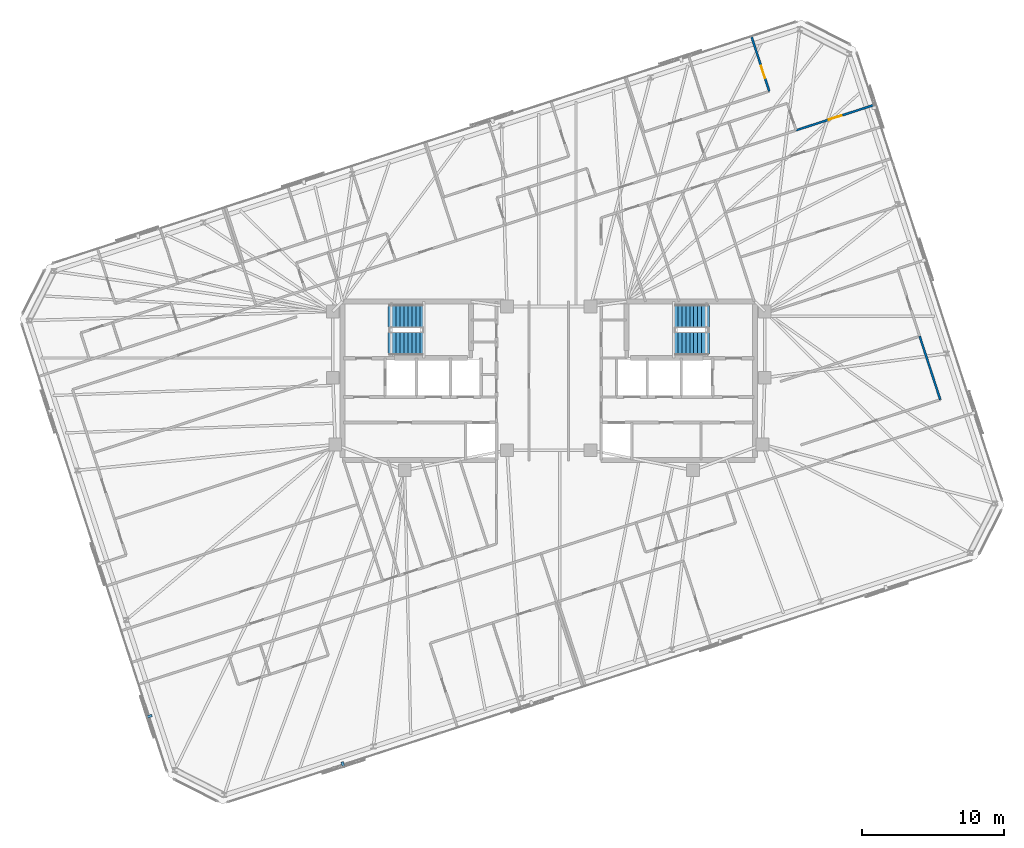
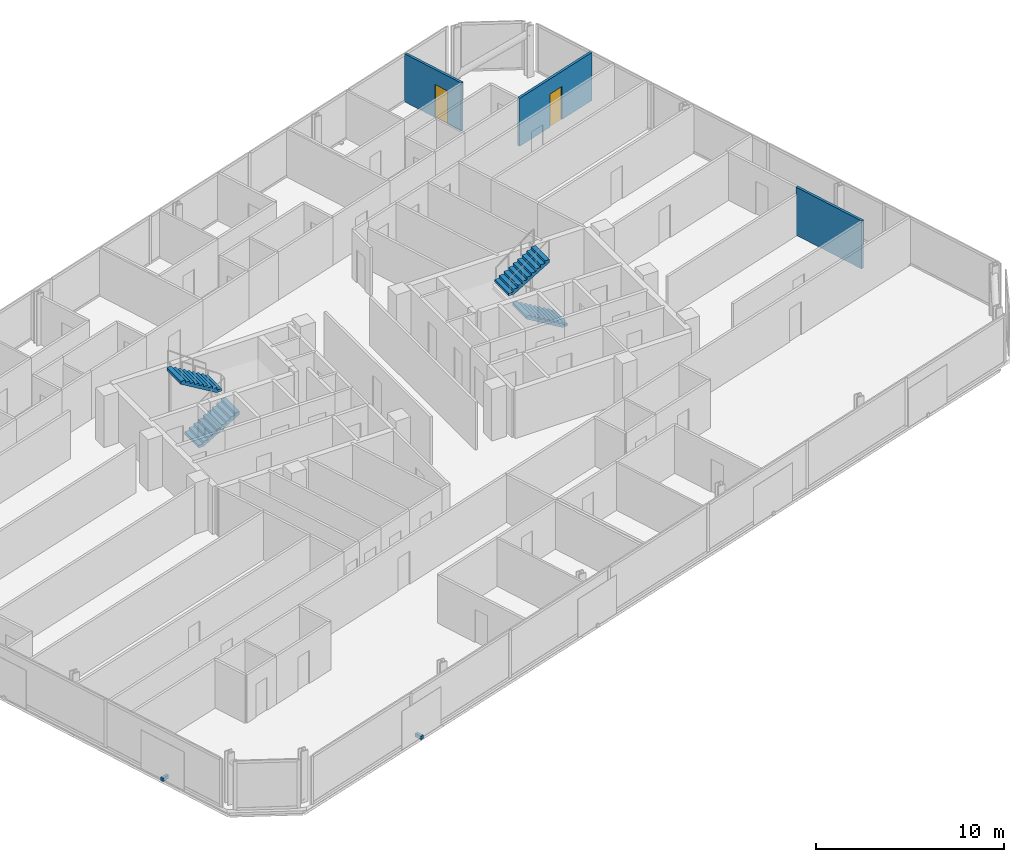
# One storey, part 18 of 20: 4 stair flights, 3 walls, 2 discrete accessories, 2 doors, 2 openings, 2 elements without a shape of their own.
"""IFC4 building model written with IfcOpenShell, lengths in metres."""

from ifc_helpers import new_model, si_unit, direction, frame, frame_2d, origin, origin_2d, place, context, subcontext, project, spatial, polyline, rectangle, outline, extrude, material, layer, layer_set, type_object, element, fill, aggregate, save


model = new_model("IFC4")

# Units and contexts
model_context = context("Model", 3, precision=1e-05, world=origin(), true_north=direction((0.0, 1.0)))
body_context = subcontext(model_context, "Body", "Model", "MODEL_VIEW")
ifc_project = project(units=[si_unit("LENGTHUNIT", "METRE"), si_unit("AREAUNIT", "SQUARE_METRE"), si_unit("VOLUMEUNIT", "CUBIC_METRE"), si_unit("PLANEANGLEUNIT", "RADIAN"), si_unit("MASSUNIT", "GRAM", prefix="KILO")], contexts=[model_context])

# Site, building, storey
site_placement = place(None, origin())
site = spatial("IfcSite", under=ifc_project, at=site_placement, CompositionType="ELEMENT")
building_placement = place(site_placement, origin())
building = spatial("IfcBuilding", under=site, at=building_placement, Name="Menara Jurai Vektor", CompositionType="ELEMENT")
storey_placement = place(building_placement, frame((0.0, 0.0, 224.300048828125)))
storey = spatial("IfcBuildingStorey", under=building, at=storey_placement, Name="L59", CompositionType="ELEMENT", Elevation=224.300048828125)

# Wall, opening, door
ifc_material_1 = material(Name="Gypsum Fireboard Partition", Category="gypsum")
ifc_layer = layer(ifc_material_1, 0.14990234375)
ifc_layer_set = layer_set([ifc_layer], Name="Gypsum Fireboard Partition")
wall_type = type_object("IfcWallType", Name="INT-WALL-CORR-150", PredefinedType="PARTITIONING", material=ifc_layer_set)
wall_1_placement = place(storey_placement, frame((17.4580078125, 17.687744140625, 0.0), z_axis=(0.0, 0.0, 1.0), x_axis=(0.951064183239, 0.308993396953, 0.0)))
wall_1 = element("IfcWall", 1, at=wall_1_placement, inside=storey, type_object=wall_type, Name="Interior Wall IW-150 L59", PredefinedType="PARTITIONING", context=body_context, shape_type="SweptSolid", body=[
    extrude(rectangle(XDim=5.778076171875, YDim=0.14990234375, at=frame_2d((2.88916015625, 0.0))), origin(), (0.0, 0.0, 1.0), 3.125),
])
opening_1_placement = place(wall_1_placement, frame((2.4140625, 0.0, 0.0)))
opening_1 = element("IfcOpeningElement", 2, at=opening_1_placement, cuts=wall_1, Name="Opening D59-25", PredefinedType="OPENING", context=body_context, shape_type="SweptSolid", body=[
    extrude(rectangle(XDim=0.949951171875, YDim=2.14990234375, at=frame_2d((0.47509765625, 1.074951171875))), frame((0.0, 0.0849609375, 0.0), z_axis=(0.0, -1.0, 0.0), x_axis=(1.0, 0.0, 0.0)), (0.0, 0.0, 1.0), 0.169921875),
])
ifc_material_2 = material(Name="Solid Core Timber Fire Door", Category="wood")
door_type_1 = type_object("IfcDoorType", Name="DR-ENTRY-950", OperationType="NOTDEFINED", PredefinedType="DOOR", material=ifc_material_2)
door_1_placement = place(opening_1_placement, origin())
door_1 = element("IfcDoor", 3, at=door_1_placement, inside=storey, type_object=door_type_1, Name="Interior Door D59-25", OperationType="SINGLE_SWING_LEFT", OverallHeight=2.14990234375, OverallWidth=0.949951171875, PredefinedType="DOOR", context=body_context, shape_type="SweptSolid", body=[
    extrude(rectangle(XDim=0.949951171875, YDim=2.14990234375, at=frame_2d((0.47509765625, 1.074951171875))), frame((0.0, 0.02490234375, 0.0), z_axis=(0.0, -1.0, 0.0), x_axis=(1.0, 0.0, 0.0)), (0.0, 0.0, 1.0), 0.050048828125),
])
fill(opening_1, door_1)

# Wall
wall_2_placement = place(storey_placement, frame((27.63671875, -1.331787109375, 0.0), z_axis=(0.0, 0.0, 1.0), x_axis=(-0.309029776355, 0.951052363083, 0.0)))
element("IfcWall", 4, at=wall_2_placement, inside=storey, type_object=wall_type, Name="Interior Wall IW-150 L59", PredefinedType="PARTITIONING", context=body_context, shape_type="SweptSolid", body=[
    extrude(rectangle(XDim=4.70703125, YDim=0.14990234375, at=frame_2d((2.353515625, 0.0))), origin(), (0.0, 0.0, 1.0), 3.125),
])

# Wall, opening, door
wall_3_placement = place(storey_placement, frame((15.564208984375, 20.442138671875, 0.0), z_axis=(0.0, 0.0, 1.0), x_axis=(-0.309018403393, 0.951056058476, 0.0)))
wall_3 = element("IfcWall", 5, at=wall_3_placement, inside=storey, type_object=wall_type, Name="Interior Wall IW-150 L59", PredefinedType="PARTITIONING", context=body_context, shape_type="SweptSolid", body=[
    extrude(rectangle(XDim=4.0791015625, YDim=0.14990234375, at=frame_2d((2.03955078125, 0.0))), origin(), (0.0, 0.0, 1.0), 3.125),
])
opening_2_placement = place(wall_3_placement, frame((0.977783203125, 0.0, 0.0)))
opening_2 = element("IfcOpeningElement", 6, at=opening_2_placement, cuts=wall_3, Name="Opening D59-29", PredefinedType="OPENING", context=body_context, shape_type="SweptSolid", body=[
    extrude(rectangle(XDim=0.89990234375, YDim=2.14990234375, at=frame_2d((0.449951171875, 1.074951171875))), frame((0.0, 0.0849609375, 0.0), z_axis=(0.0, -1.0, 0.0), x_axis=(1.0, 0.0, 0.0)), (0.0, 0.0, 1.0), 0.169921875),
])
ifc_material_3 = material(Name="Acoustic Timber Interior Door", Category="wood")
door_type_2 = type_object("IfcDoorType", Name="DR-ROOM-900", OperationType="NOTDEFINED", PredefinedType="DOOR", material=ifc_material_3)
door_2_placement = place(opening_2_placement, origin())
door_2 = element("IfcDoor", 7, at=door_2_placement, inside=storey, type_object=door_type_2, Name="Interior Door D59-29", OperationType="SINGLE_SWING_LEFT", OverallHeight=2.14990234375, OverallWidth=0.89990234375, PredefinedType="DOOR", context=body_context, shape_type="SweptSolid", body=[
    extrude(rectangle(XDim=0.89990234375, YDim=2.14990234375, at=frame_2d((0.449951171875, 1.074951171875))), frame((0.0, 0.02490234375, 0.0), z_axis=(0.0, -1.0, 0.0), x_axis=(1.0, 0.0, 0.0)), (0.0, 0.0, 1.0), 0.050048828125),
])
fill(opening_2, door_2)

# Stair, stair flights
ifc_material_4 = material(Name="Concrete C40/50", Category="concrete")
stair_type = type_object("IfcStairType", Name="STAIR-DOGLEG-1500", PredefinedType="HALF_TURN_STAIR", material=ifc_material_4)
stair_1_placement = place(storey_placement, origin())
stair_1 = element("IfcStair", 8, at=stair_1_placement, inside=storey, type_object=stair_type, Name="Protected Exit Stair ST1 L59", PredefinedType="HALF_TURN_STAIR")
stair_flight_type = type_object("IfcStairFlightType", Name="STAIR-FLIGHT-1500", PredefinedType="STRAIGHT", material=ifc_material_4)
stair_flight_1_placement = place(storey_placement, frame((-11.35009765625, 2.64990234375, 0.0), z_axis=(0.0, 0.0, 1.0), x_axis=(1.0, 0.0, 0.0)))
stair_flight_1 = element("IfcStairFlight", 9, at=stair_flight_1_placement, type_object=stair_flight_type, Name="ST1 flight 1", NumberOfRisers=10, NumberOfTreads=9, PredefinedType="STRAIGHT", RiserHeight=0.1675, TreadLength=0.28, context=body_context, shape_type="SweptSolid", body=[
    extrude(outline(polyline([(0.0, 0.0), (0.0, 0.16748046875), (0.280029296875, 0.16748046875), (0.280029296875, 0.3349609375), (0.56005859375, 0.3349609375), (0.56005859375, 0.50244140625), (0.840087890625, 0.50244140625), (0.840087890625, 0.669921875), (1.1201171875, 0.669921875), (1.1201171875, 0.83740234375), (1.39990234375, 0.83740234375), (1.39990234375, 1.0048828125), (1.679931640625, 1.0048828125), (1.679931640625, 1.172607421875), (1.9599609375, 1.172607421875), (1.9599609375, 1.340087890625), (2.239990234375, 1.340087890625), (2.239990234375, 1.507568359375), (2.52001953125, 1.507568359375), (2.52001953125, 1.675048828125), (2.52001953125, 1.321044921875), (0.3115234375, 0.0), (0.0, 0.0)])), frame((0.0, 0.75, 0.0), z_axis=(0.0, -1.0, 0.0), x_axis=(1.0, 0.0, 0.0)), (0.0, 0.0, 1.0), 1.5),
])
stair_flight_2_placement = place(storey_placement, frame((-8.830078125, 4.550048828125, 1.675048828125), z_axis=(0.0, 0.0, 1.0), x_axis=(-1.0, 0.0, 0.0)))
stair_flight_2 = element("IfcStairFlight", 10, at=stair_flight_2_placement, type_object=stair_flight_type, Name="ST1 flight 2", NumberOfRisers=10, NumberOfTreads=9, PredefinedType="STRAIGHT", RiserHeight=0.1675, TreadLength=0.28, context=body_context, shape_type="SweptSolid", body=[
    extrude(outline(polyline([(0.0, 0.0), (0.0, 0.16748046875), (0.280029296875, 0.16748046875), (0.280029296875, 0.3349609375), (0.56005859375, 0.3349609375), (0.56005859375, 0.50244140625), (0.840087890625, 0.50244140625), (0.840087890625, 0.669921875), (1.1201171875, 0.669921875), (1.1201171875, 0.83740234375), (1.39990234375, 0.83740234375), (1.39990234375, 1.0048828125), (1.679931640625, 1.0048828125), (1.679931640625, 1.172607421875), (1.9599609375, 1.172607421875), (1.9599609375, 1.340087890625), (2.239990234375, 1.340087890625), (2.239990234375, 1.507568359375), (2.52001953125, 1.507568359375), (2.52001953125, 1.675048828125), (2.52001953125, 1.321044921875), (0.3115234375, 0.0), (0.0, 0.0)])), frame((0.0, 0.75, 0.0), z_axis=(0.0, -1.0, 0.0), x_axis=(1.0, 0.0, 0.0)), (0.0, 0.0, 1.0), 1.5),
])
aggregate(stair_1, [stair_flight_1, stair_flight_2])

stair_2_placement = place(storey_placement, origin())
stair_2 = element("IfcStair", 11, at=stair_2_placement, inside=storey, type_object=stair_type, Name="Protected Exit Stair ST2 L59", PredefinedType="HALF_TURN_STAIR")
stair_flight_3_placement = place(storey_placement, frame((11.35009765625, 2.64990234375, 0.0), z_axis=(0.0, 0.0, 1.0), x_axis=(-1.0, 0.0, 0.0)))
stair_flight_3 = element("IfcStairFlight", 12, at=stair_flight_3_placement, type_object=stair_flight_type, Name="ST2 flight 1", NumberOfRisers=10, NumberOfTreads=9, PredefinedType="STRAIGHT", RiserHeight=0.1675, TreadLength=0.28, context=body_context, shape_type="SweptSolid", body=[
    extrude(outline(polyline([(0.0, 0.0), (0.0, 0.16748046875), (0.280029296875, 0.16748046875), (0.280029296875, 0.3349609375), (0.56005859375, 0.3349609375), (0.56005859375, 0.50244140625), (0.840087890625, 0.50244140625), (0.840087890625, 0.669921875), (1.1201171875, 0.669921875), (1.1201171875, 0.83740234375), (1.39990234375, 0.83740234375), (1.39990234375, 1.0048828125), (1.679931640625, 1.0048828125), (1.679931640625, 1.172607421875), (1.9599609375, 1.172607421875), (1.9599609375, 1.340087890625), (2.239990234375, 1.340087890625), (2.239990234375, 1.507568359375), (2.52001953125, 1.507568359375), (2.52001953125, 1.675048828125), (2.52001953125, 1.321044921875), (0.3115234375, 0.0), (0.0, 0.0)])), frame((0.0, 0.75, 0.0), z_axis=(0.0, -1.0, 0.0), x_axis=(1.0, 0.0, 0.0)), (0.0, 0.0, 1.0), 1.5),
])
stair_flight_4_placement = place(storey_placement, frame((8.830078125, 4.550048828125, 1.675048828125), z_axis=(0.0, 0.0, 1.0), x_axis=(1.0, 0.0, 0.0)))
stair_flight_4 = element("IfcStairFlight", 13, at=stair_flight_4_placement, type_object=stair_flight_type, Name="ST2 flight 2", NumberOfRisers=10, NumberOfTreads=9, PredefinedType="STRAIGHT", RiserHeight=0.1675, TreadLength=0.28, context=body_context, shape_type="SweptSolid", body=[
    extrude(outline(polyline([(0.0, 0.0), (0.0, 0.16748046875), (0.280029296875, 0.16748046875), (0.280029296875, 0.3349609375), (0.56005859375, 0.3349609375), (0.56005859375, 0.50244140625), (0.840087890625, 0.50244140625), (0.840087890625, 0.669921875), (1.1201171875, 0.669921875), (1.1201171875, 0.83740234375), (1.39990234375, 0.83740234375), (1.39990234375, 1.0048828125), (1.679931640625, 1.0048828125), (1.679931640625, 1.172607421875), (1.9599609375, 1.172607421875), (1.9599609375, 1.340087890625), (2.239990234375, 1.340087890625), (2.239990234375, 1.507568359375), (2.52001953125, 1.507568359375), (2.52001953125, 1.675048828125), (2.52001953125, 1.321044921875), (0.3115234375, 0.0), (0.0, 0.0)])), frame((0.0, 0.75, 0.0), z_axis=(0.0, -1.0, 0.0), x_axis=(1.0, 0.0, 0.0)), (0.0, 0.0, 1.0), 1.5),
])
aggregate(stair_2, [stair_flight_3, stair_flight_4])

# Discrete accessories
ifc_material_5 = material(Name="Steel S355", Category="steel")
discrete_accessory_type = type_object("IfcDiscreteAccessoryType", Name="ENV-ACC-BRACKET", PredefinedType="BRACKET", material=ifc_material_5)
for number, where, z_axis, x_axis, name in (
    (14, (-14.524658203125, -27.1142578125, -0.1298828125), (0.0, 0.0, 1.0), (0.951056516295, 0.309016994375, 0.0), "Solar Screen Stand-Off Bracket L59-S01"),
    (15, (-28.222412109375, -23.693115234375, -0.1298828125), (0.0, 0.0, 1.0), (0.309016994375, -0.951056516295, 0.0), "Solar Screen Stand-Off Bracket L59-S14"),
):
    element("IfcDiscreteAccessory", number, at=place(storey_placement, frame(where, z_axis=z_axis, x_axis=x_axis)), inside=storey, type_object=discrete_accessory_type, Name=name, PredefinedType="BRACKET", context=body_context, shape_type="SweptSolid", body=[
        extrude(rectangle(XDim=0.179931640625, YDim=0.43994140625, at=origin_2d()), origin(), (0.0, 0.0, 1.0), 0.219970703125),
    ])

save(model, "model.ifc")
